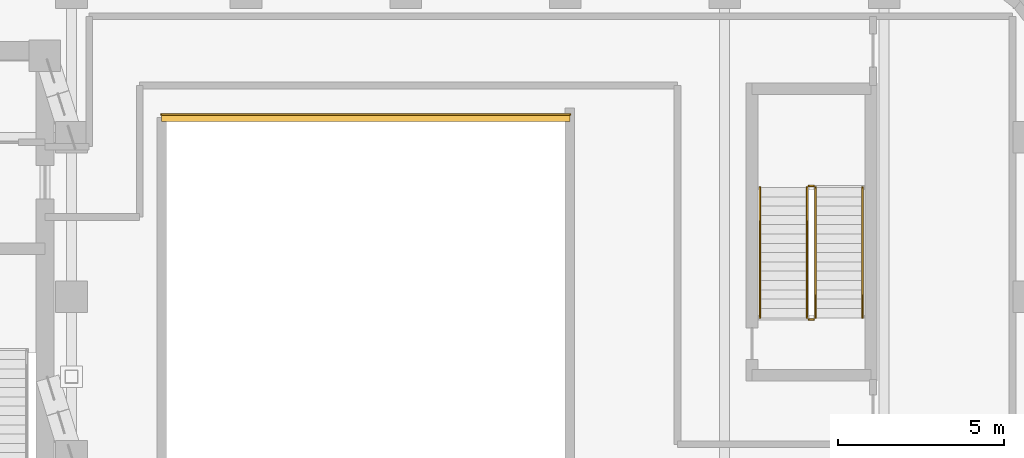
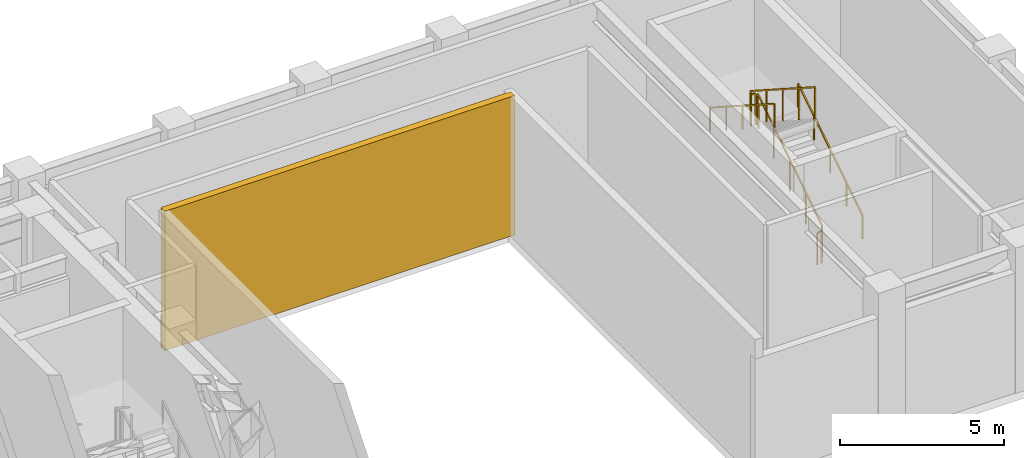
# One storey, part 9 of 9: 7 railings, 1 shading device.
"""IFC4 building model written with IfcOpenShell, lengths in metres."""

from ifc_helpers import new_model, si_unit, direction, frame, origin, origin_2d, place, context, subcontext, project, spatial, rectangle, extrude, material, type_object, element, save


model = new_model("IFC4")

# Units and contexts
model_context = context("Model", 3, precision=1e-05, world=origin(), true_north=direction((0.0, 1.0)))
body_context = subcontext(model_context, "Body", "Model", "MODEL_VIEW")
ifc_project = project(units=[si_unit("LENGTHUNIT", "METRE"), si_unit("AREAUNIT", "SQUARE_METRE"), si_unit("VOLUMEUNIT", "CUBIC_METRE"), si_unit("PLANEANGLEUNIT", "RADIAN"), si_unit("MASSUNIT", "GRAM", prefix="KILO")], contexts=[model_context])

# Site, building, storey
site_placement = place(None, origin())
site = spatial("IfcSite", under=ifc_project, at=site_placement, CompositionType="ELEMENT")
building_placement = place(site_placement, origin())
building = spatial("IfcBuilding", under=site, at=building_placement, Name="Orvandelia Arch Residences", CompositionType="ELEMENT")
storey_placement = place(building_placement, frame((0.0, 0.0, 198.39990234375)))
storey = spatial("IfcBuildingStorey", under=building, at=storey_placement, Name="L52", CompositionType="ELEMENT", Elevation=198.39990234375)

# Railings
ifc_material_1 = material(Name="Marine-Grade Stainless Steel 316", Category="steel")
railing_type_1 = type_object("IfcRailingType", Name="GRD-TERR-1250", PredefinedType="GUARDRAIL", material=ifc_material_1)
railing_1_placement = place(storey_placement, frame((26.25, 43.8798828125, 0.0)))
element("IfcRailing", 1, at=railing_1_placement, inside=storey, type_object=railing_type_1, Name="Wind Portal Maintenance Safety Guard L52-1", PredefinedType="GUARDRAIL", context=body_context, shape_type="SweptSolid", body=[
    extrude(rectangle(XDim=0.048095703125, YDim=0.048095703125, at=origin_2d()), frame((0.0, 0.0, 1.22607421875), z_axis=(1.0, 0.0, 0.0), x_axis=(0.0, 1.0, 0.0)), (0.0, 0.0, 1.0), 12.300048828125),
    extrude(rectangle(XDim=0.0419921875, YDim=0.0419921875, at=origin_2d()), origin(), (0.0, 0.0, 1.0), 1.201904296875),
    extrude(rectangle(XDim=0.0419921875, YDim=0.0419921875, at=origin_2d()), frame((1.757080078125, 0.0, 0.0)), (0.0, 0.0, 1.0), 1.201904296875),
    extrude(rectangle(XDim=0.0419921875, YDim=0.0419921875, at=origin_2d()), frame((3.514404296875, 0.0, 0.0)), (0.0, 0.0, 1.0), 1.201904296875),
    extrude(rectangle(XDim=0.0419921875, YDim=0.0419921875, at=origin_2d()), frame((5.271484375, 0.0, 0.0)), (0.0, 0.0, 1.0), 1.201904296875),
    extrude(rectangle(XDim=0.0419921875, YDim=0.0419921875, at=origin_2d()), frame((7.028564453125, 0.0, 0.0)), (0.0, 0.0, 1.0), 1.201904296875),
    extrude(rectangle(XDim=0.0419921875, YDim=0.0419921875, at=origin_2d()), frame((8.78564453125, 0.0, 0.0)), (0.0, 0.0, 1.0), 1.201904296875),
    extrude(rectangle(XDim=0.0419921875, YDim=0.0419921875, at=origin_2d()), frame((10.54296875, 0.0, 0.0)), (0.0, 0.0, 1.0), 1.201904296875),
    extrude(rectangle(XDim=0.0419921875, YDim=0.0419921875, at=origin_2d()), frame((12.300048828125, 0.0, 0.0)), (0.0, 0.0, 1.0), 1.201904296875),
])
ifc_material_2 = material(Name="Brushed Stainless Steel 304", Category="steel")
railing_type_2 = type_object("IfcRailingType", Name="RL-STAIR-GD1120", PredefinedType="GUARDRAIL", material=ifc_material_2)
railing_2_placement = place(storey_placement, frame((45.929931640625, 37.77001953125, 0.18017578125)))
element("IfcRailing", 2, at=railing_2_placement, inside=storey, type_object=railing_type_2, Name="L52 ST-3 stair guard 1", PredefinedType="GUARDRAIL", context=body_context, shape_type="SweptSolid", body=[
    extrude(rectangle(XDim=0.048095703125, YDim=0.048095703125, at=origin_2d()), frame((0.0, 0.0, 1.17578125), z_axis=(0.0, 0.841171666519, 0.540768182723), x_axis=(-1.0, 0.0, 0.0)), (0.0, 0.0, 1.0), 4.66015625),
    extrude(rectangle(XDim=0.0419921875, YDim=0.0419921875, at=origin_2d()), origin(), (0.0, 0.0, 1.0), 1.15185546875),
    extrude(rectangle(XDim=0.0419921875, YDim=0.0419921875, at=origin_2d()), frame((0.0, 0.97998046875, 0.6298828125)), (0.0, 0.0, 1.0), 1.15185546875),
    extrude(rectangle(XDim=0.0419921875, YDim=0.0419921875, at=origin_2d()), frame((0.0, 1.9599609375, 1.260009765625)), (0.0, 0.0, 1.0), 1.15185546875),
    extrude(rectangle(XDim=0.0419921875, YDim=0.0419921875, at=origin_2d()), frame((0.0, 2.93994140625, 1.89013671875)), (0.0, 0.0, 1.0), 1.15185546875),
    extrude(rectangle(XDim=0.0419921875, YDim=0.0419921875, at=origin_2d()), frame((0.0, 3.919921875, 2.52001953125)), (0.0, 0.0, 1.0), 1.15185546875),
])
railing_3_placement = place(storey_placement, frame((45.8798828125, 41.739990234375, 2.7001953125)))
element("IfcRailing", 3, at=railing_3_placement, inside=storey, type_object=railing_type_2, Name="L52 ST-3 stair guard 2", PredefinedType="GUARDRAIL", context=body_context, shape_type="SweptSolid", body=[
    extrude(rectangle(XDim=0.048095703125, YDim=0.048095703125, at=origin_2d()), frame((0.0, 0.0, 1.17578125), z_axis=(-1.0, 0.0, 0.0), x_axis=(0.0, -1.0, 0.0)), (0.0, 0.0, 1.0), 0.14990234375),
    extrude(rectangle(XDim=0.0419921875, YDim=0.0419921875, at=origin_2d()), origin(), (0.0, 0.0, 1.0), 1.15185546875),
    extrude(rectangle(XDim=0.0419921875, YDim=0.0419921875, at=origin_2d()), frame((-0.14990234375, 0.0, 0.0)), (0.0, 0.0, 1.0), 1.15185546875),
])
railing_4_placement = place(storey_placement, frame((45.679931640625, 41.68994140625, 2.880126953125)))
element("IfcRailing", 4, at=railing_4_placement, inside=storey, type_object=railing_type_2, Name="L52 ST-3 stair guard 3", PredefinedType="GUARDRAIL", context=body_context, shape_type="SweptSolid", body=[
    extrude(rectangle(XDim=0.048095703125, YDim=0.048095703125, at=origin_2d()), frame((0.0, 0.0, 1.17578125), z_axis=(0.0, -0.841171666519, 0.540768182723), x_axis=(1.0, 0.0, 0.0)), (0.0, 0.0, 1.0), 4.66015625),
    extrude(rectangle(XDim=0.0419921875, YDim=0.0419921875, at=origin_2d()), origin(), (0.0, 0.0, 1.0), 1.15185546875),
    extrude(rectangle(XDim=0.0419921875, YDim=0.0419921875, at=origin_2d()), frame((0.0, -0.97998046875, 0.6298828125)), (0.0, 0.0, 1.0), 1.15185546875),
    extrude(rectangle(XDim=0.0419921875, YDim=0.0419921875, at=origin_2d()), frame((0.0, -1.9599609375, 1.260009765625)), (0.0, 0.0, 1.0), 1.15185546875),
    extrude(rectangle(XDim=0.0419921875, YDim=0.0419921875, at=origin_2d()), frame((0.0, -2.93994140625, 1.89013671875)), (0.0, 0.0, 1.0), 1.15185546875),
    extrude(rectangle(XDim=0.0419921875, YDim=0.0419921875, at=origin_2d()), frame((0.0, -3.919921875, 2.52001953125)), (0.0, 0.0, 1.0), 1.15185546875),
])
railing_5_placement = place(storey_placement, frame((45.8798828125, 37.719970703125, 0.0)))
element("IfcRailing", 5, at=railing_5_placement, inside=storey, type_object=railing_type_2, Name="L52 ST-3 stair guard 4", PredefinedType="GUARDRAIL", context=body_context, shape_type="SweptSolid", body=[
    extrude(rectangle(XDim=0.048095703125, YDim=0.048095703125, at=origin_2d()), frame((0.0, 0.0, 1.17578125), z_axis=(-1.0, 0.0, 0.0), x_axis=(0.0, -1.0, 0.0)), (0.0, 0.0, 1.0), 0.14990234375),
    extrude(rectangle(XDim=0.0419921875, YDim=0.0419921875, at=origin_2d()), origin(), (0.0, 0.0, 1.0), 1.15185546875),
    extrude(rectangle(XDim=0.0419921875, YDim=0.0419921875, at=origin_2d()), frame((-0.14990234375, 0.0, 0.0)), (0.0, 0.0, 1.0), 1.15185546875),
])
railing_type_3 = type_object("IfcRailingType", Name="RL-STAIR-HR920", PredefinedType="HANDRAIL", material=ifc_material_2)
railing_6_placement = place(storey_placement, frame((47.35009765625, 37.77001953125, 0.360107421875)))
element("IfcRailing", 6, at=railing_6_placement, inside=storey, type_object=railing_type_3, Name="L52 ST-3 stair handrail 1", PredefinedType="HANDRAIL", context=body_context, shape_type="SweptSolid", body=[
    extrude(rectangle(XDim=0.048095703125, YDim=0.048095703125, at=origin_2d()), frame((0.0, 0.0, 0.8759765625), z_axis=(0.0, 0.841171666519, 0.540768182723), x_axis=(-1.0, 0.0, 0.0)), (0.0, 0.0, 1.0), 4.66015625),
    extrude(rectangle(XDim=0.0419921875, YDim=0.0419921875, at=origin_2d()), origin(), (0.0, 0.0, 1.0), 0.851806640625),
    extrude(rectangle(XDim=0.0419921875, YDim=0.0419921875, at=origin_2d()), frame((0.0, 0.97998046875, 0.6298828125)), (0.0, 0.0, 1.0), 0.851806640625),
    extrude(rectangle(XDim=0.0419921875, YDim=0.0419921875, at=origin_2d()), frame((0.0, 1.9599609375, 1.260009765625)), (0.0, 0.0, 1.0), 0.851806640625),
    extrude(rectangle(XDim=0.0419921875, YDim=0.0419921875, at=origin_2d()), frame((0.0, 2.93994140625, 1.89013671875)), (0.0, 0.0, 1.0), 0.851806640625),
    extrude(rectangle(XDim=0.0419921875, YDim=0.0419921875, at=origin_2d()), frame((0.0, 3.919921875, 2.52001953125)), (0.0, 0.0, 1.0), 0.851806640625),
])
railing_7_placement = place(storey_placement, frame((44.260009765625, 41.68994140625, 3.06005859375)))
element("IfcRailing", 7, at=railing_7_placement, inside=storey, type_object=railing_type_3, Name="L52 ST-3 stair handrail 2", PredefinedType="HANDRAIL", context=body_context, shape_type="SweptSolid", body=[
    extrude(rectangle(XDim=0.048095703125, YDim=0.048095703125, at=origin_2d()), frame((0.0, 0.0, 0.8759765625), z_axis=(0.0, -0.841171666519, 0.540768182723), x_axis=(1.0, 0.0, 0.0)), (0.0, 0.0, 1.0), 4.66015625),
    extrude(rectangle(XDim=0.0419921875, YDim=0.0419921875, at=origin_2d()), origin(), (0.0, 0.0, 1.0), 0.851806640625),
    extrude(rectangle(XDim=0.0419921875, YDim=0.0419921875, at=origin_2d()), frame((0.0, -0.97998046875, 0.6298828125)), (0.0, 0.0, 1.0), 0.851806640625),
    extrude(rectangle(XDim=0.0419921875, YDim=0.0419921875, at=origin_2d()), frame((0.0, -1.9599609375, 1.260009765625)), (0.0, 0.0, 1.0), 0.851806640625),
    extrude(rectangle(XDim=0.0419921875, YDim=0.0419921875, at=origin_2d()), frame((0.0, -2.93994140625, 1.89013671875)), (0.0, 0.0, 1.0), 0.851806640625),
    extrude(rectangle(XDim=0.0419921875, YDim=0.0419921875, at=origin_2d()), frame((0.0, -3.919921875, 2.52001953125)), (0.0, 0.0, 1.0), 0.851806640625),
])

# Shading device
ifc_material_3 = material(Name="Acoustic Weatherproof Aluminium Louvre Bank", Category="aluminium")
shading_device_type = type_object("IfcShadingDeviceType", Name="SHD-WIND-LOUVRE", PredefinedType="USERDEFINED", material=ifc_material_3)
shading_device_placement = place(storey_placement, frame((32.39990234375, 43.800048828125, 0.0), z_axis=(0.0, 0.0, 1.0), x_axis=(1.0, 0.0, 0.0)))
element("IfcShadingDevice", 8, at=shading_device_placement, inside=storey, type_object=shading_device_type, Name="Blow-Through Wind Portal Acoustic Louvre L52-1", ObjectType="ACOUSTIC_LOUVRE", PredefinedType="USERDEFINED", context=body_context, shape_type="SweptSolid", body=[
    extrude(rectangle(XDim=12.300048828125, YDim=0.239990234375, at=origin_2d()), origin(), (0.0, 0.0, 1.0), 5.179931640625),
])

save(model, "model.ifc")
